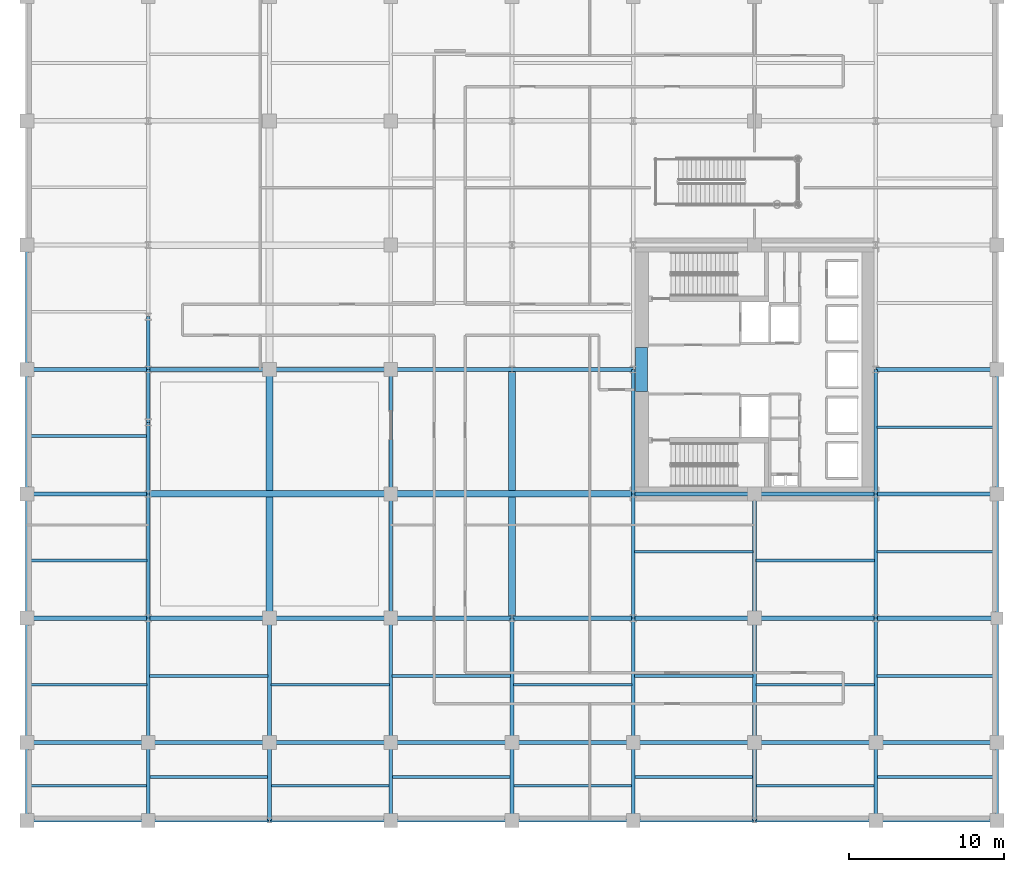
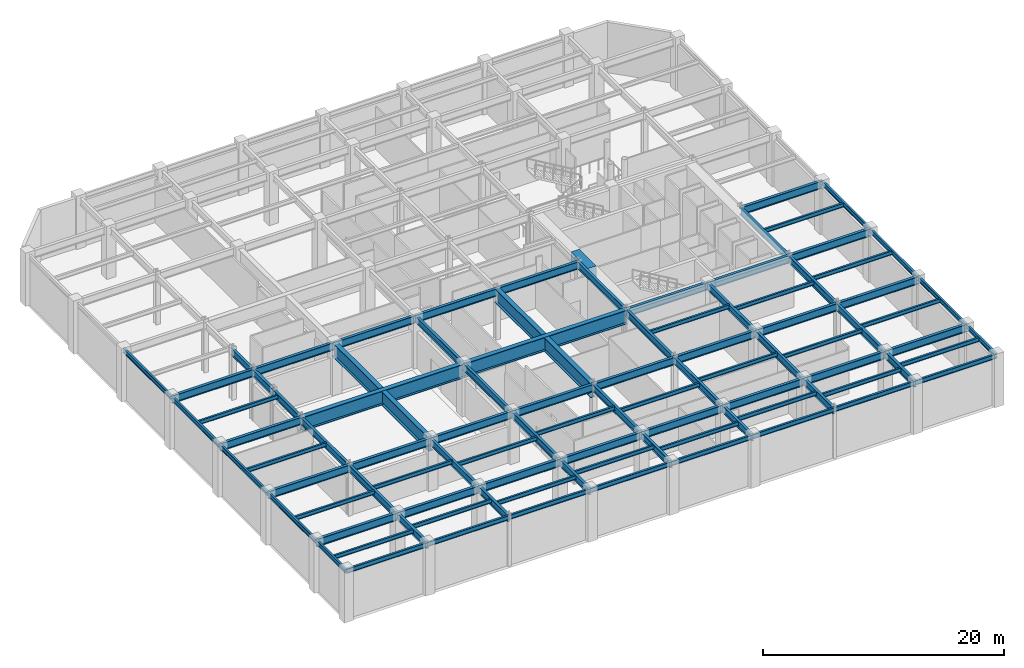
# One storey, part 5 of 11: 95 beams.
"""IFC4 building model written with IfcOpenShell, lengths in metres."""

import ifcopenshell
import ifcopenshell.guid

model = None  # the IFC model being written
_history = None  # IfcOwnerHistory: only IFC2X3 demands one
_inside = {}  # id of a spatial element -> (the spatial element, [elements in it])
_under = {}  # id of a project, library or spatial element -> (it, [spatial elements below it])
_declared = {}  # id of a project -> (the project, [libraries it declares])
_typed = {}  # id of a type object -> (the type object, [elements of that type])
_made_of = {}  # id of a material, layer set ... -> (it, [elements and type objects made of it])


def new_model(schema):
    """Start an empty IFC model of exactly this schema.

    Asked for "IFC4X3", IfcOpenShell would pick the latest addendum, in which some entities
    have other attributes; the version numbers below select the first issue.
    IFC2X3 requires an IfcOwnerHistory on every rooted entity: one is made here for all.
    """
    global model, _history
    if schema == "IFC4X3":
        model = ifcopenshell.file(schema_version=(4, 3, 0, 0))
    else:
        model = ifcopenshell.file(schema=schema)
    _inside.clear()
    _under.clear()
    _declared.clear()
    _typed.clear()
    _made_of.clear()
    _history = None
    if model.schema == "IFC2X3":
        org = make("IfcOrganization", Name="unknown")
        user = make(
            "IfcPersonAndOrganization",
            ThePerson=make("IfcPerson", FamilyName="unknown"),
            TheOrganization=org,
        )
        app = make(
            "IfcApplication",
            ApplicationDeveloper=org,
            Version="unknown",
            ApplicationFullName="unknown",
            ApplicationIdentifier="unknown",
        )
        _history = make(
            "IfcOwnerHistory",
            OwningUser=user,
            OwningApplication=app,
            ChangeAction="ADDED",
            CreationDate=0,
        )
    return model


def make(cls, **values):
    """One entity of the class cls with the attributes given. An attribute that is None is left unset."""
    return model.create_entity(
        cls, **{name: value for name, value in values.items() if value is not None}
    )


def rooted(cls, **values):
    """An entity with a GlobalId (a new one), such as an element, a storey or a relation."""
    return make(cls, GlobalId=ifcopenshell.guid.new(), OwnerHistory=_history, **values)


def si_unit(unit_type, name, prefix=None):
    """IfcSIUnit, for example si_unit("LENGTHUNIT", "METRE", prefix="MILLI")."""
    return make("IfcSIUnit", UnitType=unit_type, Prefix=prefix, Name=name)


def assignment(units):
    """IfcUnitAssignment: the units of a project."""
    return None if units is None else make("IfcUnitAssignment", Units=units)


def point(xyz):
    """IfcCartesianPoint."""
    return None if xyz is None else make("IfcCartesianPoint", Coordinates=xyz)


def direction(xyz):
    """IfcDirection."""
    return None if xyz is None else make("IfcDirection", DirectionRatios=xyz)


def frame(location, z_axis=None, x_axis=None):
    """IfcAxis2Placement3D, a coordinate frame: its origin and axes. An axis left out is left unset."""
    return make(
        "IfcAxis2Placement3D",
        Location=point(location),
        Axis=direction(z_axis),
        RefDirection=direction(x_axis),
    )


def frame_2d(location, x_axis=None):
    """IfcAxis2Placement2D, a coordinate frame in the plane: its origin and x axis."""
    return make(
        "IfcAxis2Placement2D", Location=point(location), RefDirection=direction(x_axis)
    )


def origin():
    """The frame at (0, 0, 0) with its axes left unset."""
    return frame((0.0, 0.0, 0.0))


def origin_2d():
    """The frame at (0, 0) in the plane with its x axis left unset."""
    return frame_2d((0.0, 0.0))


def place(relative_to, where):
    """IfcLocalPlacement: puts the frame where relative to a parent placement (None: the world)."""
    return make(
        "IfcLocalPlacement", PlacementRelTo=relative_to, RelativePlacement=where
    )


def context(
    kind, dimensions, precision=None, world=None, true_north=None, identifier=None
):
    """IfcGeometricRepresentationContext, for example the 3D "Model" context."""
    return make(
        "IfcGeometricRepresentationContext",
        ContextIdentifier=identifier,
        ContextType=kind,
        CoordinateSpaceDimension=dimensions,
        Precision=precision,
        WorldCoordinateSystem=world,
        TrueNorth=true_north,
    )


def subcontext(parent, identifier, kind, view, scale=None):
    """IfcGeometricRepresentationSubContext, for example "Body" below "Model"."""
    return make(
        "IfcGeometricRepresentationSubContext",
        ContextIdentifier=identifier,
        ContextType=kind,
        ParentContext=parent,
        TargetScale=scale,
        TargetView=view,
    )


def project(units=None, contexts=None):
    """IfcProject with its units and contexts."""
    return rooted(
        "IfcProject",
        Name="project",
        RepresentationContexts=contexts,
        UnitsInContext=assignment(units),
    )


def spatial(cls, under=None, at=None, **own):
    """A site, building, storey or space (cls), placed at a placement, below another one or the project."""
    s = rooted(cls, ObjectPlacement=at, **own)
    if under is not None:
        _under.setdefault(under.id(), (under, []))[1].append(s)
    return s


def profile(cls, at=None, kind="AREA", **sizes):
    """A parametric profile (cls). Its sizes go by their IFC names, for example OverallWidth=200.0."""
    return make(cls, ProfileType=kind, Position=at, **sizes)


def rectangle(**sizes):
    """IfcRectangleProfileDef."""
    return profile("IfcRectangleProfileDef", **sizes)


def i_section(**sizes):
    """IfcIShapeProfileDef."""
    return profile("IfcIShapeProfileDef", **sizes)


def extrude(swept, where, along, depth):
    """IfcExtrudedAreaSolid: the profile swept, set in the frame where, extruded along a direction by depth."""
    return make(
        "IfcExtrudedAreaSolid",
        SweptArea=swept,
        Position=where,
        ExtrudedDirection=direction(along),
        Depth=depth,
    )


def shape(context_of_items, identifier, shape_type, items):
    """IfcShapeRepresentation: the items that make up one representation, for example the "Body"."""
    return make(
        "IfcShapeRepresentation",
        ContextOfItems=context_of_items,
        RepresentationIdentifier=identifier,
        RepresentationType=shape_type,
        Items=items,
    )


def material(Name=None, Category=None):
    """IfcMaterial."""
    return make("IfcMaterial", Name=Name, Category=Category)


def material_profile(
    of_material, cross_section, Name=None, Category=None, Priority=None
):
    """IfcMaterialProfile: a cross section and its material."""
    return make(
        "IfcMaterialProfile",
        Name=Name,
        Material=of_material,
        Profile=cross_section,
        Priority=Priority,
        Category=Category,
    )


def profile_set(profiles, Name=None, composite=None):
    """IfcMaterialProfileSet."""
    return make(
        "IfcMaterialProfileSet",
        Name=Name,
        MaterialProfiles=profiles,
        CompositeProfile=composite,
    )


def made_of(thing, what):
    """Note that an element or type object is made of a material, layer set ...; save() writes the relation."""
    if what is not None:
        _made_of.setdefault(what.id(), (what, []))[1].append(thing)
    return thing


def type_object(cls, material=None, **own):
    """A type object (cls), such as IfcWallType, which elements share."""
    return made_of(rooted(cls, **own), material)


def element(
    cls,
    number,
    at=None,
    inside=None,
    cuts=None,
    type_object=None,
    material=None,
    context=None,
    identifier="Body",
    shape_type=None,
    held_by="IfcProductDefinitionShape",
    body=None,
    shapes=None,
    **own,
):
    """One element of the class cls, such as IfcWall. Its Tag is "e" and its number.

    at: its placement. inside: the storey or other place that contains it. cuts: it is an
    opening in that element (IfcRelVoidsElement). A single representation is given by context,
    identifier, shape_type and body (its items); several are given by shapes. held_by: the class
    of the entity that holds the representations. save() writes the other relations.
    """
    e = rooted(cls, Tag="e%d" % number, ObjectPlacement=at, **own)
    if body is not None:
        shapes = [shape(context, identifier, shape_type, body)]
    if shapes is not None:
        e.Representation = make(held_by, Representations=shapes)
    if inside is not None:
        _inside.setdefault(inside.id(), (inside, []))[1].append(e)
    if cuts is not None:
        rooted(
            "IfcRelVoidsElement", RelatingBuildingElement=cuts, RelatedOpeningElement=e
        )
    if type_object is not None:
        _typed.setdefault(type_object.id(), (type_object, []))[1].append(e)
    return made_of(e, material)


def aggregate(whole, parts):
    """IfcRelAggregates: a whole, such as a stair, and the parts it consists of."""
    return rooted("IfcRelAggregates", RelatingObject=whole, RelatedObjects=parts)


def save(model, path):
    """Write the relations noted so far, then the file.

    IfcRelAggregates (storeys below a building ...), IfcRelContainedInSpatialStructure (elements
    in a storey), IfcRelDefinesByType, IfcRelAssociatesMaterial and IfcRelDeclares: one each for
    every whole, place, type object, material and project.
    """
    for whole, parts in _under.values():
        aggregate(whole, parts)
    for where, things in _inside.values():
        rooted(
            "IfcRelContainedInSpatialStructure",
            RelatedElements=things,
            RelatingStructure=where,
        )
    for kind, things in _typed.values():
        rooted("IfcRelDefinesByType", RelatedObjects=things, RelatingType=kind)
    for what, things in _made_of.values():
        rooted("IfcRelAssociatesMaterial", RelatedObjects=things, RelatingMaterial=what)
    for by, libraries in _declared.values():
        rooted("IfcRelDeclares", RelatingContext=by, RelatedDefinitions=libraries)
    model.write(path)


model = new_model("IFC4")

# Units and contexts
model_context = context("Model", 3, precision=1e-05, world=origin(), true_north=direction((0.0, 1.0)))
body_context = subcontext(model_context, "Body", "Model", "MODEL_VIEW")
ifc_project = project(units=[si_unit("LENGTHUNIT", "METRE"), si_unit("AREAUNIT", "SQUARE_METRE"), si_unit("VOLUMEUNIT", "CUBIC_METRE"), si_unit("PLANEANGLEUNIT", "RADIAN"), si_unit("MASSUNIT", "GRAM", prefix="KILO")], contexts=[model_context])

# Site, building, storey
site_placement = place(None, origin())
site = spatial("IfcSite", under=ifc_project, at=site_placement, CompositionType="ELEMENT")
building_placement = place(site_placement, origin())
building = spatial("IfcBuilding", under=site, at=building_placement, Name="Veymaron Broadcast Tower", CompositionType="ELEMENT")
storey_placement = place(building_placement, frame((0.0, 0.0, 16.199951171875)))
storey = spatial("IfcBuildingStorey", under=building, at=storey_placement, Name="L03", CompositionType="ELEMENT", Elevation=16.199951171875)

# Beams
ifc_material_1 = material(Name="Concrete C70/85", Category="concrete")
ifc_material_profile_1 = material_profile(ifc_material_1, rectangle(XDim=0.800048828125, YDim=1.10009765625, at=origin_2d()), Name="RC800X1100")
ifc_profile_set_1 = profile_set([ifc_material_profile_1], Name="Concrete C70/85")
beam_type_1 = type_object("IfcBeamType", Name="BM-CB1", PredefinedType="LINTEL", material=ifc_profile_set_1)
beam_1_placement = place(storey_placement, frame((39.530029296875, 22.60009765625, 4.570068359375), z_axis=(0.0, 1.0, 0.0), x_axis=(-1.0, 0.0, 0.0)))
element("IfcBeam", 1, at=beam_1_placement, inside=storey, type_object=beam_type_1, Name="L03 Core Wall west coupling beam", PredefinedType="LINTEL", context=body_context, shape_type="SweptSolid", body=[
    extrude(rectangle(XDim=0.800048828125, YDim=1.10009765625, at=origin_2d()), origin(), (0.0, 0.0, 1.0), 2.7998046875),
])
ifc_material_2 = material(Name="Structural steel ASTM A992 Gr 50", Category="steel")
ifc_material_profile_2 = material_profile(ifc_material_2, i_section(OverallWidth=0.177978515625, OverallDepth=0.406982421875, WebThickness=0.0078125, FlangeThickness=0.0126953125, at=origin_2d()), Name="W410X60")
ifc_profile_set_2 = profile_set([ifc_material_profile_2], Name="Structural steel ASTM A992 Gr 50")
beam_type_2 = type_object("IfcBeamType", Name="BM-JS1", PredefinedType="JOIST", material=ifc_profile_set_2)
for number, where, z_axis, x_axis, name in (
    (2, (0.0849609375, -2.780029296875, 4.91650390625), (1.0, 0.0, 0.0), (0.0, 1.0, 0.0), "L03 podium secondary floor joist"),
    (3, (0.0849609375, 3.719970703125, 4.91650390625), (1.0, 0.0, 0.0), (0.0, 1.0, 0.0), "L03 podium secondary floor joist"),
    (4, (0.0849609375, 11.719970703125, 4.91650390625), (1.0, 0.0, 0.0), (0.0, 1.0, 0.0), "L03 podium secondary floor joist"),
    (5, (0.0849609375, 19.719970703125, 4.91650390625), (1.0, 0.0, 0.0), (0.0, 1.0, 0.0), "L03 podium secondary floor joist"),
):
    element("IfcBeam", number, at=place(storey_placement, frame(where, z_axis=z_axis, x_axis=x_axis)), inside=storey, type_object=beam_type_2, Name=name, PredefinedType="JOIST", context=body_context, shape_type="SweptSolid", body=[
        extrude(i_section(OverallWidth=0.177978515625, OverallDepth=0.406982421875, WebThickness=0.0078125, FlangeThickness=0.0126953125, at=origin_2d()), origin(), (0.0, 0.0, 1.0), 7.630126953125),
    ])
for number, where, z_axis, x_axis, name in (
    (6, (7.885009765625, -2.219970703125, 4.91650390625), (1.0, 0.0, 0.0), (0.0, 1.0, 0.0), "L03 podium secondary floor joist"),
    (7, (7.885009765625, 4.280029296875, 4.91650390625), (1.0, 0.0, 0.0), (0.0, 1.0, 0.0), "L03 podium secondary floor joist"),
    (8, (15.68505859375, -2.780029296875, 4.91650390625), (1.0, 0.0, 0.0), (0.0, 1.0, 0.0), "L03 podium secondary floor joist"),
    (9, (15.68505859375, 3.719970703125, 4.91650390625), (1.0, 0.0, 0.0), (0.0, 1.0, 0.0), "L03 podium secondary floor joist"),
    (10, (23.485107421875, -2.219970703125, 4.91650390625), (1.0, 0.0, 0.0), (0.0, 1.0, 0.0), "L03 podium secondary floor joist"),
    (11, (23.485107421875, 4.280029296875, 4.91650390625), (1.0, 0.0, 0.0), (0.0, 1.0, 0.0), "L03 podium secondary floor joist"),
):
    element("IfcBeam", number, at=place(storey_placement, frame(where, z_axis=z_axis, x_axis=x_axis)), inside=storey, type_object=beam_type_2, Name=name, PredefinedType="JOIST", context=body_context, shape_type="SweptSolid", body=[
        extrude(i_section(OverallWidth=0.177978515625, OverallDepth=0.406982421875, WebThickness=0.0078125, FlangeThickness=0.0126953125, at=origin_2d()), origin(), (0.0, 0.0, 1.0), 7.6298828125),
    ])
for number, where, z_axis, x_axis, name in (
    (12, (31.284912109375, -2.780029296875, 4.91650390625), (1.0, 0.0, 0.0), (0.0, 1.0, 0.0), "L03 podium secondary floor joist"),
    (13, (31.284912109375, 3.719970703125, 4.91650390625), (1.0, 0.0, 0.0), (0.0, 1.0, 0.0), "L03 podium secondary floor joist"),
    (14, (39.0849609375, -2.219970703125, 4.91650390625), (1.0, 0.0, 0.0), (0.0, 1.0, 0.0), "L03 podium secondary floor joist"),
    (15, (39.0849609375, 4.280029296875, 4.91650390625), (1.0, 0.0, 0.0), (0.0, 1.0, 0.0), "L03 podium secondary floor joist"),
    (16, (39.0849609375, 12.280029296875, 4.91650390625), (1.0, 0.0, 0.0), (0.0, 1.0, 0.0), "L03 podium secondary floor joist"),
):
    element("IfcBeam", number, at=place(storey_placement, frame(where, z_axis=z_axis, x_axis=x_axis)), inside=storey, type_object=beam_type_2, Name=name, PredefinedType="JOIST", context=body_context, shape_type="SweptSolid", body=[
        extrude(i_section(OverallWidth=0.177978515625, OverallDepth=0.406982421875, WebThickness=0.0078125, FlangeThickness=0.0126953125, at=origin_2d()), origin(), (0.0, 0.0, 1.0), 7.630126953125),
    ])
for number, where, z_axis, x_axis, name in (
    (17, (46.885009765625, -2.780029296875, 4.91650390625), (1.0, 0.0, 0.0), (0.0, 1.0, 0.0), "L03 podium secondary floor joist"),
    (18, (46.885009765625, 3.719970703125, 4.91650390625), (1.0, 0.0, 0.0), (0.0, 1.0, 0.0), "L03 podium secondary floor joist"),
    (19, (46.885009765625, 11.719970703125, 4.91650390625), (1.0, 0.0, 0.0), (0.0, 1.0, 0.0), "L03 podium secondary floor joist"),
    (20, (54.68505859375, -2.219970703125, 4.91650390625), (1.0, 0.0, 0.0), (0.0, 1.0, 0.0), "L03 podium secondary floor joist"),
    (21, (54.68505859375, 4.280029296875, 4.91650390625), (1.0, 0.0, 0.0), (0.0, 1.0, 0.0), "L03 podium secondary floor joist"),
    (22, (54.68505859375, 12.280029296875, 4.91650390625), (1.0, 0.0, 0.0), (0.0, 1.0, 0.0), "L03 podium secondary floor joist"),
    (23, (54.68505859375, 20.280029296875, 4.91650390625), (1.0, 0.0, 0.0), (0.0, 1.0, 0.0), "L03 podium secondary floor joist"),
):
    element("IfcBeam", number, at=place(storey_placement, frame(where, z_axis=z_axis, x_axis=x_axis)), inside=storey, type_object=beam_type_2, Name=name, PredefinedType="JOIST", context=body_context, shape_type="SweptSolid", body=[
        extrude(i_section(OverallWidth=0.177978515625, OverallDepth=0.406982421875, WebThickness=0.0078125, FlangeThickness=0.0126953125, at=origin_2d()), origin(), (0.0, 0.0, 1.0), 7.6298828125),
    ])
ifc_material_profile_3 = material_profile(ifc_material_2, i_section(OverallWidth=0.26806640625, OverallDepth=0.77001953125, WebThickness=0.015625, FlangeThickness=0.025390625, at=origin_2d()), Name="W760X196")
ifc_profile_set_3 = profile_set([ifc_material_profile_3], Name="Structural steel ASTM A992 Gr 50")
beam_type_3 = type_object("IfcBeamType", Name="BM-PG1", PredefinedType="BEAM", material=ifc_profile_set_3)
for number, where, z_axis, x_axis, name in (
    (24, (0.0, 0.0, 4.735107421875), (1.0, 0.0, 0.0), (0.0, 1.0, 0.0), "L03 podium primary X-girder"),
    (25, (7.800048828125, 0.0, 4.735107421875), (1.0, 0.0, 0.0), (0.0, 1.0, 0.0), "L03 podium primary X-girder"),
):
    element("IfcBeam", number, at=place(storey_placement, frame(where, z_axis=z_axis, x_axis=x_axis)), inside=storey, type_object=beam_type_3, Name=name, PredefinedType="BEAM", context=body_context, shape_type="SweptSolid", body=[
        extrude(i_section(OverallWidth=0.26806640625, OverallDepth=0.77001953125, WebThickness=0.015625, FlangeThickness=0.025390625, at=origin_2d()), origin(), (0.0, 0.0, 1.0), 7.800048828125),
    ])
beam_2_placement = place(storey_placement, frame((15.60009765625, 0.0, 4.735107421875), z_axis=(1.0, 0.0, 0.0), x_axis=(0.0, 1.0, 0.0)))
element("IfcBeam", 26, at=beam_2_placement, inside=storey, type_object=beam_type_3, Name="L03 podium primary X-girder", PredefinedType="BEAM", context=body_context, shape_type="SweptSolid", body=[
    extrude(i_section(OverallWidth=0.26806640625, OverallDepth=0.77001953125, WebThickness=0.015625, FlangeThickness=0.025390625, at=origin_2d()), origin(), (0.0, 0.0, 1.0), 7.7998046875),
])
for number, where, z_axis, x_axis, name in (
    (27, (23.39990234375, 0.0, 4.735107421875), (1.0, 0.0, 0.0), (0.0, 1.0, 0.0), "L03 podium primary X-girder"),
    (28, (31.199951171875, 0.0, 4.735107421875), (1.0, 0.0, 0.0), (0.0, 1.0, 0.0), "L03 podium primary X-girder"),
    (29, (39.0, 0.0, 4.735107421875), (1.0, 0.0, 0.0), (0.0, 1.0, 0.0), "L03 podium primary X-girder"),
    (30, (46.800048828125, 0.0, 4.735107421875), (1.0, 0.0, 0.0), (0.0, 1.0, 0.0), "L03 podium primary X-girder"),
):
    element("IfcBeam", number, at=place(storey_placement, frame(where, z_axis=z_axis, x_axis=x_axis)), inside=storey, type_object=beam_type_3, Name=name, PredefinedType="BEAM", context=body_context, shape_type="SweptSolid", body=[
        extrude(i_section(OverallWidth=0.26806640625, OverallDepth=0.77001953125, WebThickness=0.015625, FlangeThickness=0.025390625, at=origin_2d()), origin(), (0.0, 0.0, 1.0), 7.800048828125),
    ])
beam_3_placement = place(storey_placement, frame((54.60009765625, 0.0, 4.735107421875), z_axis=(1.0, 0.0, 0.0), x_axis=(0.0, 1.0, 0.0)))
element("IfcBeam", 31, at=beam_3_placement, inside=storey, type_object=beam_type_3, Name="L03 podium primary X-girder", PredefinedType="BEAM", context=body_context, shape_type="SweptSolid", body=[
    extrude(i_section(OverallWidth=0.26806640625, OverallDepth=0.77001953125, WebThickness=0.015625, FlangeThickness=0.025390625, at=origin_2d()), origin(), (0.0, 0.0, 1.0), 7.7998046875),
])
for number, where, z_axis, x_axis, name in (
    (32, (0.0, 8.0, 4.735107421875), (1.0, 0.0, 0.0), (0.0, 1.0, 0.0), "L03 podium primary X-girder"),
    (33, (7.800048828125, 8.0, 4.735107421875), (1.0, 0.0, 0.0), (0.0, 1.0, 0.0), "L03 podium primary X-girder"),
):
    element("IfcBeam", number, at=place(storey_placement, frame(where, z_axis=z_axis, x_axis=x_axis)), inside=storey, type_object=beam_type_3, Name=name, PredefinedType="BEAM", context=body_context, shape_type="SweptSolid", body=[
        extrude(i_section(OverallWidth=0.26806640625, OverallDepth=0.77001953125, WebThickness=0.015625, FlangeThickness=0.025390625, at=origin_2d()), origin(), (0.0, 0.0, 1.0), 7.800048828125),
    ])
beam_4_placement = place(storey_placement, frame((15.60009765625, 8.0, 4.735107421875), z_axis=(1.0, 0.0, 0.0), x_axis=(0.0, 1.0, 0.0)))
element("IfcBeam", 34, at=beam_4_placement, inside=storey, type_object=beam_type_3, Name="L03 podium primary X-girder", PredefinedType="BEAM", context=body_context, shape_type="SweptSolid", body=[
    extrude(i_section(OverallWidth=0.26806640625, OverallDepth=0.77001953125, WebThickness=0.015625, FlangeThickness=0.025390625, at=origin_2d()), origin(), (0.0, 0.0, 1.0), 7.7998046875),
])
for number, where, z_axis, x_axis, name in (
    (35, (23.39990234375, 8.0, 4.735107421875), (1.0, 0.0, 0.0), (0.0, 1.0, 0.0), "L03 podium primary X-girder"),
    (36, (31.199951171875, 8.0, 4.735107421875), (1.0, 0.0, 0.0), (0.0, 1.0, 0.0), "L03 podium primary X-girder"),
    (37, (39.0, 8.0, 4.735107421875), (1.0, 0.0, 0.0), (0.0, 1.0, 0.0), "L03 podium primary X-girder"),
    (38, (46.800048828125, 8.0, 4.735107421875), (1.0, 0.0, 0.0), (0.0, 1.0, 0.0), "L03 podium primary X-girder"),
):
    element("IfcBeam", number, at=place(storey_placement, frame(where, z_axis=z_axis, x_axis=x_axis)), inside=storey, type_object=beam_type_3, Name=name, PredefinedType="BEAM", context=body_context, shape_type="SweptSolid", body=[
        extrude(i_section(OverallWidth=0.26806640625, OverallDepth=0.77001953125, WebThickness=0.015625, FlangeThickness=0.025390625, at=origin_2d()), origin(), (0.0, 0.0, 1.0), 7.800048828125),
    ])
beam_5_placement = place(storey_placement, frame((54.60009765625, 8.0, 4.735107421875), z_axis=(1.0, 0.0, 0.0), x_axis=(0.0, 1.0, 0.0)))
element("IfcBeam", 39, at=beam_5_placement, inside=storey, type_object=beam_type_3, Name="L03 podium primary X-girder", PredefinedType="BEAM", context=body_context, shape_type="SweptSolid", body=[
    extrude(i_section(OverallWidth=0.26806640625, OverallDepth=0.77001953125, WebThickness=0.015625, FlangeThickness=0.025390625, at=origin_2d()), origin(), (0.0, 0.0, 1.0), 7.7998046875),
])
for number, where, z_axis, x_axis, name in (
    (40, (0.0, 16.0, 4.735107421875), (1.0, 0.0, 0.0), (0.0, 1.0, 0.0), "L03 podium primary X-girder"),
    (41, (39.0, 16.0, 4.735107421875), (1.0, 0.0, 0.0), (0.0, 1.0, 0.0), "L03 podium primary X-girder"),
    (42, (46.800048828125, 16.0, 4.735107421875), (1.0, 0.0, 0.0), (0.0, 1.0, 0.0), "L03 podium primary X-girder"),
):
    element("IfcBeam", number, at=place(storey_placement, frame(where, z_axis=z_axis, x_axis=x_axis)), inside=storey, type_object=beam_type_3, Name=name, PredefinedType="BEAM", context=body_context, shape_type="SweptSolid", body=[
        extrude(i_section(OverallWidth=0.26806640625, OverallDepth=0.77001953125, WebThickness=0.015625, FlangeThickness=0.025390625, at=origin_2d()), origin(), (0.0, 0.0, 1.0), 7.800048828125),
    ])
beam_6_placement = place(storey_placement, frame((54.60009765625, 16.0, 4.735107421875), z_axis=(1.0, 0.0, 0.0), x_axis=(0.0, 1.0, 0.0)))
element("IfcBeam", 43, at=beam_6_placement, inside=storey, type_object=beam_type_3, Name="L03 podium primary X-girder", PredefinedType="BEAM", context=body_context, shape_type="SweptSolid", body=[
    extrude(i_section(OverallWidth=0.26806640625, OverallDepth=0.77001953125, WebThickness=0.015625, FlangeThickness=0.025390625, at=origin_2d()), origin(), (0.0, 0.0, 1.0), 7.7998046875),
])
for number, where, z_axis, x_axis, name in (
    (44, (0.0, 24.0, 4.735107421875), (1.0, 0.0, 0.0), (0.0, 1.0, 0.0), "L03 podium primary X-girder"),
    (45, (7.800048828125, 24.0, 4.735107421875), (1.0, 0.0, 0.0), (0.0, 1.0, 0.0), "L03 podium primary X-girder"),
):
    element("IfcBeam", number, at=place(storey_placement, frame(where, z_axis=z_axis, x_axis=x_axis)), inside=storey, type_object=beam_type_3, Name=name, PredefinedType="BEAM", context=body_context, shape_type="SweptSolid", body=[
        extrude(i_section(OverallWidth=0.26806640625, OverallDepth=0.77001953125, WebThickness=0.015625, FlangeThickness=0.025390625, at=origin_2d()), origin(), (0.0, 0.0, 1.0), 7.800048828125),
    ])
beam_7_placement = place(storey_placement, frame((15.60009765625, 24.0, 4.735107421875), z_axis=(1.0, 0.0, 0.0), x_axis=(0.0, 1.0, 0.0)))
element("IfcBeam", 46, at=beam_7_placement, inside=storey, type_object=beam_type_3, Name="L03 podium primary X-girder", PredefinedType="BEAM", context=body_context, shape_type="SweptSolid", body=[
    extrude(i_section(OverallWidth=0.26806640625, OverallDepth=0.77001953125, WebThickness=0.015625, FlangeThickness=0.025390625, at=origin_2d()), origin(), (0.0, 0.0, 1.0), 7.7998046875),
])
for number, where, z_axis, x_axis, name in (
    (47, (23.39990234375, 24.0, 4.735107421875), (1.0, 0.0, 0.0), (0.0, 1.0, 0.0), "L03 podium primary X-girder"),
    (48, (31.199951171875, 24.0, 4.735107421875), (1.0, 0.0, 0.0), (0.0, 1.0, 0.0), "L03 podium primary X-girder"),
):
    element("IfcBeam", number, at=place(storey_placement, frame(where, z_axis=z_axis, x_axis=x_axis)), inside=storey, type_object=beam_type_3, Name=name, PredefinedType="BEAM", context=body_context, shape_type="SweptSolid", body=[
        extrude(i_section(OverallWidth=0.26806640625, OverallDepth=0.77001953125, WebThickness=0.015625, FlangeThickness=0.025390625, at=origin_2d()), origin(), (0.0, 0.0, 1.0), 7.800048828125),
    ])
beam_8_placement = place(storey_placement, frame((54.60009765625, 24.0, 4.735107421875), z_axis=(1.0, 0.0, 0.0), x_axis=(0.0, 1.0, 0.0)))
element("IfcBeam", 49, at=beam_8_placement, inside=storey, type_object=beam_type_3, Name="L03 podium primary X-girder", PredefinedType="BEAM", context=body_context, shape_type="SweptSolid", body=[
    extrude(i_section(OverallWidth=0.26806640625, OverallDepth=0.77001953125, WebThickness=0.015625, FlangeThickness=0.025390625, at=origin_2d()), origin(), (0.0, 0.0, 1.0), 7.7998046875),
])
ifc_material_profile_4 = material_profile(ifc_material_2, i_section(OverallWidth=0.256103515625, OverallDepth=0.693115234375, WebThickness=0.014404296875, FlangeThickness=0.023681640625, at=origin_2d()), Name="W690X170")
ifc_profile_set_4 = profile_set([ifc_material_profile_4], Name="Structural steel ASTM A992 Gr 50")
beam_type_4 = type_object("IfcBeamType", Name="BM-PG2", PredefinedType="BEAM", material=ifc_profile_set_4)
beam_9_placement = place(storey_placement, frame((7.800048828125, -5.0, 4.7734375), z_axis=(0.0, 1.0, 0.0), x_axis=(-1.0, 0.0, 0.0)))
element("IfcBeam", 50, at=beam_9_placement, inside=storey, type_object=beam_type_4, Name="L03 podium primary Y-girder", PredefinedType="BEAM", context=body_context, shape_type="SweptSolid", body=[
    extrude(i_section(OverallWidth=0.256103515625, OverallDepth=0.693115234375, WebThickness=0.014404296875, FlangeThickness=0.023681640625, at=origin_2d()), origin(), (0.0, 0.0, 1.0), 5.0),
])
for number, where, z_axis, x_axis, name in (
    (51, (7.800048828125, 0.0, 4.7734375), (0.0, 1.0, 0.0), (-1.0, 0.0, 0.0), "L03 podium primary Y-girder"),
    (52, (7.800048828125, 8.0, 4.7734375), (0.0, 1.0, 0.0), (-1.0, 0.0, 0.0), "L03 podium primary Y-girder"),
):
    element("IfcBeam", number, at=place(storey_placement, frame(where, z_axis=z_axis, x_axis=x_axis)), inside=storey, type_object=beam_type_4, Name=name, PredefinedType="BEAM", context=body_context, shape_type="SweptSolid", body=[
        extrude(i_section(OverallWidth=0.256103515625, OverallDepth=0.693115234375, WebThickness=0.014404296875, FlangeThickness=0.023681640625, at=origin_2d()), origin(), (0.0, 0.0, 1.0), 8.0),
    ])
beam_10_placement = place(storey_placement, frame((7.800048828125, 16.0, 4.7734375), z_axis=(0.0, 1.0, 0.0), x_axis=(-1.0, 0.0, 0.0)))
element("IfcBeam", 53, at=beam_10_placement, inside=storey, type_object=beam_type_4, Name="L03 podium primary Y-girder", PredefinedType="BEAM", context=body_context, shape_type="SweptSolid", body=[
    extrude(i_section(OverallWidth=0.256103515625, OverallDepth=0.693115234375, WebThickness=0.014404296875, FlangeThickness=0.023681640625, at=origin_2d()), origin(), (0.0, 0.0, 1.0), 4.60009765625),
])
for number, where, z_axis, x_axis, name in (
    (54, (7.800048828125, 20.60009765625, 4.7734375), (0.0, 1.0, 0.0), (-1.0, 0.0, 0.0), "L03 podium primary Y-girder"),
    (55, (7.800048828125, 24.0, 4.7734375), (0.0, 1.0, 0.0), (-1.0, 0.0, 0.0), "L03 podium primary Y-girder"),
):
    element("IfcBeam", number, at=place(storey_placement, frame(where, z_axis=z_axis, x_axis=x_axis)), inside=storey, type_object=beam_type_4, Name=name, PredefinedType="BEAM", context=body_context, shape_type="SweptSolid", body=[
        extrude(i_section(OverallWidth=0.256103515625, OverallDepth=0.693115234375, WebThickness=0.014404296875, FlangeThickness=0.023681640625, at=origin_2d()), origin(), (0.0, 0.0, 1.0), 3.39990234375),
    ])
beam_11_placement = place(storey_placement, frame((15.60009765625, -5.0, 4.7734375), z_axis=(0.0, 1.0, 0.0), x_axis=(-1.0, 0.0, 0.0)))
element("IfcBeam", 56, at=beam_11_placement, inside=storey, type_object=beam_type_4, Name="L03 podium primary Y-girder", PredefinedType="BEAM", context=body_context, shape_type="SweptSolid", body=[
    extrude(i_section(OverallWidth=0.256103515625, OverallDepth=0.693115234375, WebThickness=0.014404296875, FlangeThickness=0.023681640625, at=origin_2d()), origin(), (0.0, 0.0, 1.0), 5.0),
])
beam_12_placement = place(storey_placement, frame((15.60009765625, 0.0, 4.7734375), z_axis=(0.0, 1.0, 0.0), x_axis=(-1.0, 0.0, 0.0)))
element("IfcBeam", 57, at=beam_12_placement, inside=storey, type_object=beam_type_4, Name="L03 podium primary Y-girder", PredefinedType="BEAM", context=body_context, shape_type="SweptSolid", body=[
    extrude(i_section(OverallWidth=0.256103515625, OverallDepth=0.693115234375, WebThickness=0.014404296875, FlangeThickness=0.023681640625, at=origin_2d()), origin(), (0.0, 0.0, 1.0), 8.0),
])
beam_13_placement = place(storey_placement, frame((23.39990234375, -5.0, 4.7734375), z_axis=(0.0, 1.0, 0.0), x_axis=(-1.0, 0.0, 0.0)))
element("IfcBeam", 58, at=beam_13_placement, inside=storey, type_object=beam_type_4, Name="L03 podium primary Y-girder", PredefinedType="BEAM", context=body_context, shape_type="SweptSolid", body=[
    extrude(i_section(OverallWidth=0.256103515625, OverallDepth=0.693115234375, WebThickness=0.014404296875, FlangeThickness=0.023681640625, at=origin_2d()), origin(), (0.0, 0.0, 1.0), 5.0),
])
for number, where, z_axis, x_axis, name in (
    (59, (23.39990234375, 0.0, 4.7734375), (0.0, 1.0, 0.0), (-1.0, 0.0, 0.0), "L03 podium primary Y-girder"),
    (60, (23.39990234375, 8.0, 4.7734375), (0.0, 1.0, 0.0), (-1.0, 0.0, 0.0), "L03 podium primary Y-girder"),
    (61, (23.39990234375, 16.0, 4.7734375), (0.0, 1.0, 0.0), (-1.0, 0.0, 0.0), "L03 podium primary Y-girder"),
):
    element("IfcBeam", number, at=place(storey_placement, frame(where, z_axis=z_axis, x_axis=x_axis)), inside=storey, type_object=beam_type_4, Name=name, PredefinedType="BEAM", context=body_context, shape_type="SweptSolid", body=[
        extrude(i_section(OverallWidth=0.256103515625, OverallDepth=0.693115234375, WebThickness=0.014404296875, FlangeThickness=0.023681640625, at=origin_2d()), origin(), (0.0, 0.0, 1.0), 8.0),
    ])
beam_14_placement = place(storey_placement, frame((31.199951171875, -5.0, 4.7734375), z_axis=(0.0, 1.0, 0.0), x_axis=(-1.0, 0.0, 0.0)))
element("IfcBeam", 62, at=beam_14_placement, inside=storey, type_object=beam_type_4, Name="L03 podium primary Y-girder", PredefinedType="BEAM", context=body_context, shape_type="SweptSolid", body=[
    extrude(i_section(OverallWidth=0.256103515625, OverallDepth=0.693115234375, WebThickness=0.014404296875, FlangeThickness=0.023681640625, at=origin_2d()), origin(), (0.0, 0.0, 1.0), 5.0),
])
beam_15_placement = place(storey_placement, frame((31.199951171875, 0.0, 4.7734375), z_axis=(0.0, 1.0, 0.0), x_axis=(-1.0, 0.0, 0.0)))
element("IfcBeam", 63, at=beam_15_placement, inside=storey, type_object=beam_type_4, Name="L03 podium primary Y-girder", PredefinedType="BEAM", context=body_context, shape_type="SweptSolid", body=[
    extrude(i_section(OverallWidth=0.256103515625, OverallDepth=0.693115234375, WebThickness=0.014404296875, FlangeThickness=0.023681640625, at=origin_2d()), origin(), (0.0, 0.0, 1.0), 8.0),
])
beam_16_placement = place(storey_placement, frame((39.0, -5.0, 4.7734375), z_axis=(0.0, 1.0, 0.0), x_axis=(-1.0, 0.0, 0.0)))
element("IfcBeam", 64, at=beam_16_placement, inside=storey, type_object=beam_type_4, Name="L03 podium primary Y-girder", PredefinedType="BEAM", context=body_context, shape_type="SweptSolid", body=[
    extrude(i_section(OverallWidth=0.256103515625, OverallDepth=0.693115234375, WebThickness=0.014404296875, FlangeThickness=0.023681640625, at=origin_2d()), origin(), (0.0, 0.0, 1.0), 5.0),
])
for number, where, z_axis, x_axis, name in (
    (65, (39.0, 0.0, 4.7734375), (0.0, 1.0, 0.0), (-1.0, 0.0, 0.0), "L03 podium primary Y-girder"),
    (66, (39.0, 8.0, 4.7734375), (0.0, 1.0, 0.0), (-1.0, 0.0, 0.0), "L03 podium primary Y-girder"),
    (67, (39.0, 16.0, 4.7734375), (0.0, 1.0, 0.0), (-1.0, 0.0, 0.0), "L03 podium primary Y-girder"),
):
    element("IfcBeam", number, at=place(storey_placement, frame(where, z_axis=z_axis, x_axis=x_axis)), inside=storey, type_object=beam_type_4, Name=name, PredefinedType="BEAM", context=body_context, shape_type="SweptSolid", body=[
        extrude(i_section(OverallWidth=0.256103515625, OverallDepth=0.693115234375, WebThickness=0.014404296875, FlangeThickness=0.023681640625, at=origin_2d()), origin(), (0.0, 0.0, 1.0), 8.0),
    ])
beam_17_placement = place(storey_placement, frame((46.800048828125, -5.0, 4.7734375), z_axis=(0.0, 1.0, 0.0), x_axis=(-1.0, 0.0, 0.0)))
element("IfcBeam", 68, at=beam_17_placement, inside=storey, type_object=beam_type_4, Name="L03 podium primary Y-girder", PredefinedType="BEAM", context=body_context, shape_type="SweptSolid", body=[
    extrude(i_section(OverallWidth=0.256103515625, OverallDepth=0.693115234375, WebThickness=0.014404296875, FlangeThickness=0.023681640625, at=origin_2d()), origin(), (0.0, 0.0, 1.0), 5.0),
])
for number, where, z_axis, x_axis, name in (
    (69, (46.800048828125, 0.0, 4.7734375), (0.0, 1.0, 0.0), (-1.0, 0.0, 0.0), "L03 podium primary Y-girder"),
    (70, (46.800048828125, 8.0, 4.7734375), (0.0, 1.0, 0.0), (-1.0, 0.0, 0.0), "L03 podium primary Y-girder"),
):
    element("IfcBeam", number, at=place(storey_placement, frame(where, z_axis=z_axis, x_axis=x_axis)), inside=storey, type_object=beam_type_4, Name=name, PredefinedType="BEAM", context=body_context, shape_type="SweptSolid", body=[
        extrude(i_section(OverallWidth=0.256103515625, OverallDepth=0.693115234375, WebThickness=0.014404296875, FlangeThickness=0.023681640625, at=origin_2d()), origin(), (0.0, 0.0, 1.0), 8.0),
    ])
beam_18_placement = place(storey_placement, frame((54.60009765625, -5.0, 4.7734375), z_axis=(0.0, 1.0, 0.0), x_axis=(-1.0, 0.0, 0.0)))
element("IfcBeam", 71, at=beam_18_placement, inside=storey, type_object=beam_type_4, Name="L03 podium primary Y-girder", PredefinedType="BEAM", context=body_context, shape_type="SweptSolid", body=[
    extrude(i_section(OverallWidth=0.256103515625, OverallDepth=0.693115234375, WebThickness=0.014404296875, FlangeThickness=0.023681640625, at=origin_2d()), origin(), (0.0, 0.0, 1.0), 5.0),
])
for number, where, z_axis, x_axis, name in (
    (72, (54.60009765625, 0.0, 4.7734375), (0.0, 1.0, 0.0), (-1.0, 0.0, 0.0), "L03 podium primary Y-girder"),
    (73, (54.60009765625, 8.0, 4.7734375), (0.0, 1.0, 0.0), (-1.0, 0.0, 0.0), "L03 podium primary Y-girder"),
    (74, (54.60009765625, 16.0, 4.7734375), (0.0, 1.0, 0.0), (-1.0, 0.0, 0.0), "L03 podium primary Y-girder"),
):
    element("IfcBeam", number, at=place(storey_placement, frame(where, z_axis=z_axis, x_axis=x_axis)), inside=storey, type_object=beam_type_4, Name=name, PredefinedType="BEAM", context=body_context, shape_type="SweptSolid", body=[
        extrude(i_section(OverallWidth=0.256103515625, OverallDepth=0.693115234375, WebThickness=0.014404296875, FlangeThickness=0.023681640625, at=origin_2d()), origin(), (0.0, 0.0, 1.0), 8.0),
    ])
ifc_material_profile_5 = material_profile(ifc_material_2, i_section(OverallWidth=0.19091796875, OverallDepth=0.4599609375, WebThickness=0.010009765625, FlangeThickness=0.01611328125, at=origin_2d()), Name="W460X82")
ifc_profile_set_5 = profile_set([ifc_material_profile_5], Name="Structural steel ASTM A992 Gr 50")
beam_type_5 = type_object("IfcBeamType", Name="BM-SP1", PredefinedType="SPANDREL", material=ifc_profile_set_5)
for number, where, z_axis, x_axis, name in (
    (75, (0.0, -5.0, 4.89013671875), (1.0, 0.0, 0.0), (0.0, 1.0, 0.0), "L03 podium primary X-girder"),
    (76, (7.800048828125, -5.0, 4.89013671875), (1.0, 0.0, 0.0), (0.0, 1.0, 0.0), "L03 podium primary X-girder"),
):
    element("IfcBeam", number, at=place(storey_placement, frame(where, z_axis=z_axis, x_axis=x_axis)), inside=storey, type_object=beam_type_5, Name=name, PredefinedType="SPANDREL", context=body_context, shape_type="SweptSolid", body=[
        extrude(i_section(OverallWidth=0.19091796875, OverallDepth=0.4599609375, WebThickness=0.010009765625, FlangeThickness=0.01611328125, at=origin_2d()), origin(), (0.0, 0.0, 1.0), 7.800048828125),
    ])
beam_19_placement = place(storey_placement, frame((15.60009765625, -5.0, 4.89013671875), z_axis=(1.0, 0.0, 0.0), x_axis=(0.0, 1.0, 0.0)))
element("IfcBeam", 77, at=beam_19_placement, inside=storey, type_object=beam_type_5, Name="L03 podium primary X-girder", PredefinedType="SPANDREL", context=body_context, shape_type="SweptSolid", body=[
    extrude(i_section(OverallWidth=0.19091796875, OverallDepth=0.4599609375, WebThickness=0.010009765625, FlangeThickness=0.01611328125, at=origin_2d()), origin(), (0.0, 0.0, 1.0), 7.7998046875),
])
for number, where, z_axis, x_axis, name in (
    (78, (23.39990234375, -5.0, 4.89013671875), (1.0, 0.0, 0.0), (0.0, 1.0, 0.0), "L03 podium primary X-girder"),
    (79, (31.199951171875, -5.0, 4.89013671875), (1.0, 0.0, 0.0), (0.0, 1.0, 0.0), "L03 podium primary X-girder"),
    (80, (39.0, -5.0, 4.89013671875), (1.0, 0.0, 0.0), (0.0, 1.0, 0.0), "L03 podium primary X-girder"),
    (81, (46.800048828125, -5.0, 4.89013671875), (1.0, 0.0, 0.0), (0.0, 1.0, 0.0), "L03 podium primary X-girder"),
):
    element("IfcBeam", number, at=place(storey_placement, frame(where, z_axis=z_axis, x_axis=x_axis)), inside=storey, type_object=beam_type_5, Name=name, PredefinedType="SPANDREL", context=body_context, shape_type="SweptSolid", body=[
        extrude(i_section(OverallWidth=0.19091796875, OverallDepth=0.4599609375, WebThickness=0.010009765625, FlangeThickness=0.01611328125, at=origin_2d()), origin(), (0.0, 0.0, 1.0), 7.800048828125),
    ])
beam_20_placement = place(storey_placement, frame((54.60009765625, -5.0, 4.89013671875), z_axis=(1.0, 0.0, 0.0), x_axis=(0.0, 1.0, 0.0)))
element("IfcBeam", 82, at=beam_20_placement, inside=storey, type_object=beam_type_5, Name="L03 podium primary X-girder", PredefinedType="SPANDREL", context=body_context, shape_type="SweptSolid", body=[
    extrude(i_section(OverallWidth=0.19091796875, OverallDepth=0.4599609375, WebThickness=0.010009765625, FlangeThickness=0.01611328125, at=origin_2d()), origin(), (0.0, 0.0, 1.0), 7.7998046875),
])
beam_21_placement = place(storey_placement, frame((0.0, -5.0, 4.89013671875), z_axis=(0.0, 1.0, 0.0), x_axis=(-1.0, 0.0, 0.0)))
element("IfcBeam", 83, at=beam_21_placement, inside=storey, type_object=beam_type_5, Name="L03 podium primary Y-girder", PredefinedType="SPANDREL", context=body_context, shape_type="SweptSolid", body=[
    extrude(i_section(OverallWidth=0.19091796875, OverallDepth=0.4599609375, WebThickness=0.010009765625, FlangeThickness=0.01611328125, at=origin_2d()), origin(), (0.0, 0.0, 1.0), 5.0),
])
for number, where, z_axis, x_axis, name in (
    (84, (0.0, 0.0, 4.89013671875), (0.0, 1.0, 0.0), (-1.0, 0.0, 0.0), "L03 podium primary Y-girder"),
    (85, (0.0, 8.0, 4.89013671875), (0.0, 1.0, 0.0), (-1.0, 0.0, 0.0), "L03 podium primary Y-girder"),
    (86, (0.0, 16.0, 4.89013671875), (0.0, 1.0, 0.0), (-1.0, 0.0, 0.0), "L03 podium primary Y-girder"),
    (87, (0.0, 24.0, 4.89013671875), (0.0, 1.0, 0.0), (-1.0, 0.0, 0.0), "L03 podium primary Y-girder"),
):
    element("IfcBeam", number, at=place(storey_placement, frame(where, z_axis=z_axis, x_axis=x_axis)), inside=storey, type_object=beam_type_5, Name=name, PredefinedType="SPANDREL", context=body_context, shape_type="SweptSolid", body=[
        extrude(i_section(OverallWidth=0.19091796875, OverallDepth=0.4599609375, WebThickness=0.010009765625, FlangeThickness=0.01611328125, at=origin_2d()), origin(), (0.0, 0.0, 1.0), 8.0),
    ])
beam_22_placement = place(storey_placement, frame((62.39990234375, -5.0, 4.89013671875), z_axis=(0.0, 1.0, 0.0), x_axis=(-1.0, 0.0, 0.0)))
element("IfcBeam", 88, at=beam_22_placement, inside=storey, type_object=beam_type_5, Name="L03 podium primary Y-girder", PredefinedType="SPANDREL", context=body_context, shape_type="SweptSolid", body=[
    extrude(i_section(OverallWidth=0.19091796875, OverallDepth=0.4599609375, WebThickness=0.010009765625, FlangeThickness=0.01611328125, at=origin_2d()), origin(), (0.0, 0.0, 1.0), 5.0),
])
for number, where, z_axis, x_axis, name in (
    (89, (62.39990234375, 0.0, 4.89013671875), (0.0, 1.0, 0.0), (-1.0, 0.0, 0.0), "L03 podium primary Y-girder"),
    (90, (62.39990234375, 8.0, 4.89013671875), (0.0, 1.0, 0.0), (-1.0, 0.0, 0.0), "L03 podium primary Y-girder"),
    (91, (62.39990234375, 16.0, 4.89013671875), (0.0, 1.0, 0.0), (-1.0, 0.0, 0.0), "L03 podium primary Y-girder"),
):
    element("IfcBeam", number, at=place(storey_placement, frame(where, z_axis=z_axis, x_axis=x_axis)), inside=storey, type_object=beam_type_5, Name=name, PredefinedType="SPANDREL", context=body_context, shape_type="SweptSolid", body=[
        extrude(i_section(OverallWidth=0.19091796875, OverallDepth=0.4599609375, WebThickness=0.010009765625, FlangeThickness=0.01611328125, at=origin_2d()), origin(), (0.0, 0.0, 1.0), 8.0),
    ])
ifc_material_3 = material(Name="Structural steel ASTM A913 Gr 65", Category="steel")
ifc_material_profile_6 = material_profile(ifc_material_3, i_section(OverallWidth=0.429931640625, OverallDepth=1.419921875, WebThickness=0.030029296875, FlangeThickness=0.050048828125, at=origin_2d()), Name="W1400X550")
ifc_profile_set_6 = profile_set([ifc_material_profile_6], Name="Structural steel ASTM A913 Gr 65")
beam_type_6 = type_object("IfcBeamType", Name="BM-TG0", PredefinedType="BEAM", material=ifc_profile_set_6)
beam_23_placement = place(storey_placement, frame((7.800048828125, 16.0, 4.41015625), z_axis=(1.0, 0.0, 0.0), x_axis=(0.0, 1.0, 0.0)))
element("IfcBeam", 92, at=beam_23_placement, inside=storey, type_object=beam_type_6, Name="L03 podium primary X-girder", PredefinedType="BEAM", context=body_context, shape_type="SweptSolid", body=[
    extrude(i_section(OverallWidth=0.429931640625, OverallDepth=1.419921875, WebThickness=0.030029296875, FlangeThickness=0.050048828125, at=origin_2d()), origin(), (0.0, 0.0, 1.0), 15.599853515625),
])
beam_24_placement = place(storey_placement, frame((23.39990234375, 16.0, 4.41015625), z_axis=(1.0, 0.0, 0.0), x_axis=(0.0, 1.0, 0.0)))
element("IfcBeam", 93, at=beam_24_placement, inside=storey, type_object=beam_type_6, Name="L03 podium primary X-girder", PredefinedType="BEAM", context=body_context, shape_type="SweptSolid", body=[
    extrude(i_section(OverallWidth=0.429931640625, OverallDepth=1.419921875, WebThickness=0.030029296875, FlangeThickness=0.050048828125, at=origin_2d()), origin(), (0.0, 0.0, 1.0), 15.60009765625),
])
for number, where, z_axis, x_axis, name in (
    (94, (15.60009765625, 8.0, 4.41015625), (0.0, 1.0, 0.0), (-1.0, 0.0, 0.0), "L03 podium primary Y-girder"),
    (95, (31.199951171875, 8.0, 4.41015625), (0.0, 1.0, 0.0), (-1.0, 0.0, 0.0), "L03 podium primary Y-girder"),
):
    element("IfcBeam", number, at=place(storey_placement, frame(where, z_axis=z_axis, x_axis=x_axis)), inside=storey, type_object=beam_type_6, Name=name, PredefinedType="BEAM", context=body_context, shape_type="SweptSolid", body=[
        extrude(i_section(OverallWidth=0.429931640625, OverallDepth=1.419921875, WebThickness=0.030029296875, FlangeThickness=0.050048828125, at=origin_2d()), origin(), (0.0, 0.0, 1.0), 16.0),
    ])

save(model, "model.ifc")
